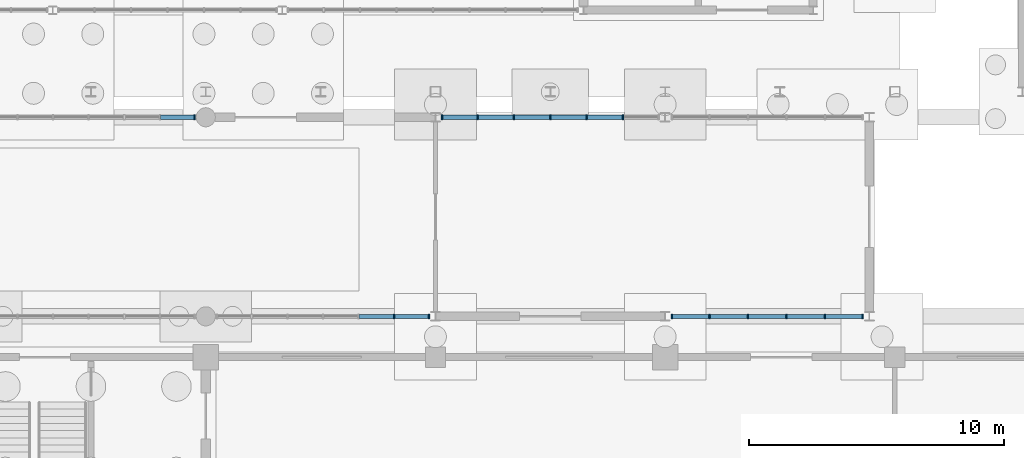
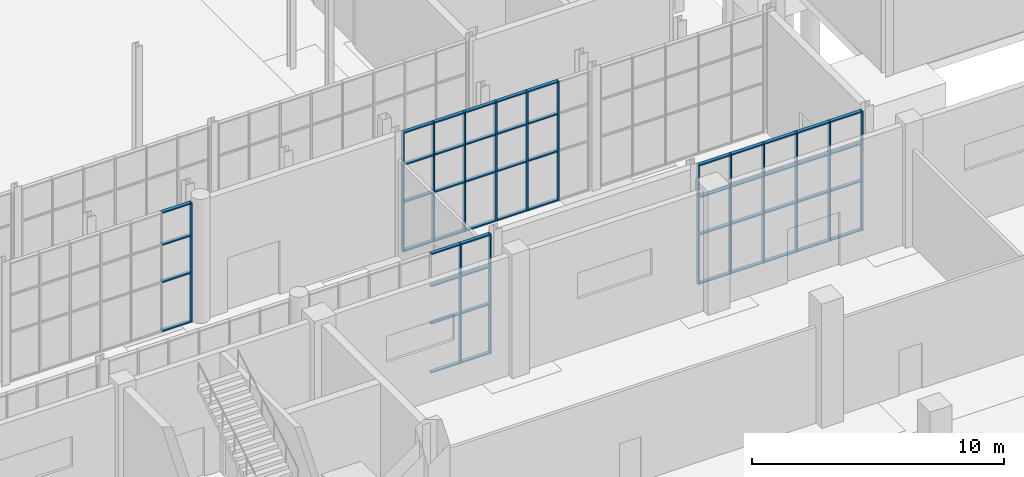
# One storey, part 65 of 131: 67 members, 4 elements without a shape of their own.
"""IFC4 building model written with IfcOpenShell, lengths in metres."""

from ifc_helpers import new_model, si_unit, direction, frame, origin, origin_2d, place, context, subcontext, project, spatial, rectangle, extrude, material, layer, layer_set, material_profile, profile_set, type_object, element, aggregate, save


model = new_model("IFC4")

# Units and contexts
model_context = context("Model", 3, precision=1e-05, world=origin(), true_north=direction((0.0, 1.0)))
body_context = subcontext(model_context, "Body", "Model", "MODEL_VIEW")
ifc_project = project(units=[si_unit("LENGTHUNIT", "METRE"), si_unit("AREAUNIT", "SQUARE_METRE"), si_unit("VOLUMEUNIT", "CUBIC_METRE"), si_unit("PLANEANGLEUNIT", "RADIAN"), si_unit("MASSUNIT", "GRAM", prefix="KILO")], contexts=[model_context])

# Site, building, storey
site_placement = place(None, origin())
site = spatial("IfcSite", under=ifc_project, at=site_placement, CompositionType="ELEMENT")
building_placement = place(site_placement, origin())
building = spatial("IfcBuilding", under=site, at=building_placement, Name="Cazmaro Siding Exhibition Halls", CompositionType="ELEMENT")
storey_placement = place(building_placement, origin())
storey = spatial("IfcBuildingStorey", under=building, at=storey_placement, Name="L00", CompositionType="ELEMENT", Elevation=0.0)

# Curtain wall, member
ifc_material_1 = material(Name="Anodized Bronze Aluminum and Solar-Control Low-E Glazing", Category="aluminium")
ifc_layer = layer(ifc_material_1, 0.179931640625)
ifc_layer_set = layer_set([ifc_layer], Name="Anodized Bronze Aluminum and Solar-Control Low-E Glazing")
curtain_wall_type = type_object("IfcCurtainWallType", Name="CWS-01", PredefinedType="USERDEFINED", material=ifc_layer_set)
curtain_wall_1_placement = place(storey_placement, origin())
curtain_wall_1 = element("IfcCurtainWall", 1, at=curtain_wall_1_placement, inside=storey, type_object=curtain_wall_type, Name="Glazed Curtain Wall CWS-01 CW-197", ObjectType="GLAZED CURTAIN WALL", PredefinedType="USERDEFINED")
ifc_material_2 = material(Name="Anodized Bronze Extruded Aluminum", Category="aluminium")
ifc_material_profile_1 = material_profile(ifc_material_2, rectangle(XDim=0.179931640625, YDim=0.06005859375, at=origin_2d()), Name="CWM-01")
ifc_profile_set_1 = profile_set([ifc_material_profile_1], Name="Anodized Bronze Extruded Aluminum")
member_type_1 = type_object("IfcMemberType", Name="CWM-01", PredefinedType="MULLION", material=ifc_profile_set_1)
member_1_placement = place(storey_placement, frame((143.56201171875, 63.0, 0.0), z_axis=(0.0, 0.0, 1.0), x_axis=(0.0, -1.0, 0.0)))
member_1 = element("IfcMember", 2, at=member_1_placement, type_object=member_type_1, Name="CWS-01 mullion 1", PredefinedType="MULLION", context=body_context, shape_type="SweptSolid", body=[
    extrude(rectangle(XDim=0.179931640625, YDim=0.06005859375, at=origin_2d()), origin(), (0.0, 0.0, 1.0), 5.780029296875),
])

# Curtain wall, members
curtain_wall_2_placement = place(storey_placement, origin())
curtain_wall_2 = element("IfcCurtainWall", 3, at=curtain_wall_2_placement, inside=storey, type_object=curtain_wall_type, Name="Glazed Curtain Wall CWS-01 CW-200", ObjectType="GLAZED CURTAIN WALL", PredefinedType="USERDEFINED")
member_2_placement = place(storey_placement, frame((151.376220703125, 55.199951171875, 0.0), z_axis=(0.0, 0.0, 1.0), x_axis=(0.0, 1.0, 0.0)))
member_2 = element("IfcMember", 4, at=member_2_placement, type_object=member_type_1, Name="CWS-01 mullion 6", PredefinedType="MULLION", context=body_context, shape_type="SweptSolid", body=[
    extrude(rectangle(XDim=0.179931640625, YDim=0.06005859375, at=origin_2d()), origin(), (0.0, 0.0, 1.0), 5.780029296875),
])
member_3_placement = place(storey_placement, frame((152.739990234375, 55.199951171875, 0.0), z_axis=(0.0, 0.0, 1.0), x_axis=(0.0, 1.0, 0.0)))
member_3 = element("IfcMember", 5, at=member_3_placement, type_object=member_type_1, Name="CWS-01 mullion 7", PredefinedType="MULLION", context=body_context, shape_type="SweptSolid", body=[
    extrude(rectangle(XDim=0.179931640625, YDim=0.06005859375, at=origin_2d()), origin(), (0.0, 0.0, 1.0), 5.780029296875),
])

curtain_wall_3_placement = place(storey_placement, origin())
curtain_wall_3 = element("IfcCurtainWall", 6, at=curtain_wall_3_placement, inside=storey, type_object=curtain_wall_type, Name="Glazed Curtain Wall CWS-01 CW-205", ObjectType="GLAZED CURTAIN WALL", PredefinedType="USERDEFINED")
member_4_placement = place(storey_placement, frame((160.3466796875, 63.0, 0.0), z_axis=(0.0, 0.0, 1.0), x_axis=(0.0, -1.0, 0.0)))
member_4 = element("IfcMember", 7, at=member_4_placement, type_object=member_type_1, Name="CWS-01 mullion 2", PredefinedType="MULLION", context=body_context, shape_type="SweptSolid", body=[
    extrude(rectangle(XDim=0.179931640625, YDim=0.06005859375, at=origin_2d()), origin(), (0.0, 0.0, 1.0), 5.780029296875),
])
member_5_placement = place(storey_placement, frame((158.92333984375, 63.0, 0.0), z_axis=(0.0, 0.0, 1.0), x_axis=(0.0, -1.0, 0.0)))
member_5 = element("IfcMember", 8, at=member_5_placement, type_object=member_type_1, Name="CWS-01 mullion 3", PredefinedType="MULLION", context=body_context, shape_type="SweptSolid", body=[
    extrude(rectangle(XDim=0.179931640625, YDim=0.06005859375, at=origin_2d()), origin(), (0.0, 0.0, 1.0), 5.780029296875),
])
member_6_placement = place(storey_placement, frame((157.5, 63.0, 0.0), z_axis=(0.0, 0.0, 1.0), x_axis=(0.0, -1.0, 0.0)))
member_6 = element("IfcMember", 9, at=member_6_placement, type_object=member_type_1, Name="CWS-01 mullion 4", PredefinedType="MULLION", context=body_context, shape_type="SweptSolid", body=[
    extrude(rectangle(XDim=0.179931640625, YDim=0.06005859375, at=origin_2d()), origin(), (0.0, 0.0, 1.0), 5.780029296875),
])
member_7_placement = place(storey_placement, frame((156.07666015625, 63.0, 0.0), z_axis=(0.0, 0.0, 1.0), x_axis=(0.0, -1.0, 0.0)))
member_7 = element("IfcMember", 10, at=member_7_placement, type_object=member_type_1, Name="CWS-01 mullion 5", PredefinedType="MULLION", context=body_context, shape_type="SweptSolid", body=[
    extrude(rectangle(XDim=0.179931640625, YDim=0.06005859375, at=origin_2d()), origin(), (0.0, 0.0, 1.0), 5.780029296875),
])
member_8_placement = place(storey_placement, frame((154.6533203125, 63.0, 0.0), z_axis=(0.0, 0.0, 1.0), x_axis=(0.0, -1.0, 0.0)))
member_8 = element("IfcMember", 11, at=member_8_placement, type_object=member_type_1, Name="CWS-01 mullion 6", PredefinedType="MULLION", context=body_context, shape_type="SweptSolid", body=[
    extrude(rectangle(XDim=0.179931640625, YDim=0.06005859375, at=origin_2d()), origin(), (0.0, 0.0, 1.0), 5.780029296875),
])
member_9_placement = place(storey_placement, frame((153.260009765625, 63.0, 0.0), z_axis=(0.0, 0.0, 1.0), x_axis=(0.0, -1.0, 0.0)))
member_9 = element("IfcMember", 12, at=member_9_placement, type_object=member_type_1, Name="CWS-01 mullion 7", PredefinedType="MULLION", context=body_context, shape_type="SweptSolid", body=[
    extrude(rectangle(XDim=0.179931640625, YDim=0.06005859375, at=origin_2d()), origin(), (0.0, 0.0, 1.0), 5.780029296875),
])

curtain_wall_4_placement = place(storey_placement, origin())
curtain_wall_4 = element("IfcCurtainWall", 13, at=curtain_wall_4_placement, inside=storey, type_object=curtain_wall_type, Name="Glazed Curtain Wall CWS-01 CW-206", ObjectType="GLAZED CURTAIN WALL", PredefinedType="USERDEFINED")
member_10_placement = place(storey_placement, frame((162.260009765625, 55.199951171875, 0.0), z_axis=(0.0, 0.0, 1.0), x_axis=(0.0, 1.0, 0.0)))
member_10 = element("IfcMember", 14, at=member_10_placement, type_object=member_type_1, Name="CWS-01 mullion 1", PredefinedType="MULLION", context=body_context, shape_type="SweptSolid", body=[
    extrude(rectangle(XDim=0.179931640625, YDim=0.06005859375, at=origin_2d()), origin(), (0.0, 0.0, 1.0), 5.780029296875),
])
member_11_placement = place(storey_placement, frame((163.738037109375, 55.199951171875, 0.0), z_axis=(0.0, 0.0, 1.0), x_axis=(0.0, 1.0, 0.0)))
member_11 = element("IfcMember", 15, at=member_11_placement, type_object=member_type_1, Name="CWS-01 mullion 2", PredefinedType="MULLION", context=body_context, shape_type="SweptSolid", body=[
    extrude(rectangle(XDim=0.179931640625, YDim=0.06005859375, at=origin_2d()), origin(), (0.0, 0.0, 1.0), 5.780029296875),
])
member_12_placement = place(storey_placement, frame((165.24609375, 55.199951171875, 0.0), z_axis=(0.0, 0.0, 1.0), x_axis=(0.0, 1.0, 0.0)))
member_12 = element("IfcMember", 16, at=member_12_placement, type_object=member_type_1, Name="CWS-01 mullion 3", PredefinedType="MULLION", context=body_context, shape_type="SweptSolid", body=[
    extrude(rectangle(XDim=0.179931640625, YDim=0.06005859375, at=origin_2d()), origin(), (0.0, 0.0, 1.0), 5.780029296875),
])
member_13_placement = place(storey_placement, frame((166.75390625, 55.199951171875, 0.0), z_axis=(0.0, 0.0, 1.0), x_axis=(0.0, 1.0, 0.0)))
member_13 = element("IfcMember", 17, at=member_13_placement, type_object=member_type_1, Name="CWS-01 mullion 4", PredefinedType="MULLION", context=body_context, shape_type="SweptSolid", body=[
    extrude(rectangle(XDim=0.179931640625, YDim=0.06005859375, at=origin_2d()), origin(), (0.0, 0.0, 1.0), 5.780029296875),
])
member_14_placement = place(storey_placement, frame((168.261962890625, 55.199951171875, 0.0), z_axis=(0.0, 0.0, 1.0), x_axis=(0.0, 1.0, 0.0)))
member_14 = element("IfcMember", 18, at=member_14_placement, type_object=member_type_1, Name="CWS-01 mullion 5", PredefinedType="MULLION", context=body_context, shape_type="SweptSolid", body=[
    extrude(rectangle(XDim=0.179931640625, YDim=0.06005859375, at=origin_2d()), origin(), (0.0, 0.0, 1.0), 5.780029296875),
])
member_15_placement = place(storey_placement, frame((169.739990234375, 55.199951171875, 0.0), z_axis=(0.0, 0.0, 1.0), x_axis=(0.0, 1.0, 0.0)))
member_15 = element("IfcMember", 19, at=member_15_placement, type_object=member_type_1, Name="CWS-01 mullion 6", PredefinedType="MULLION", context=body_context, shape_type="SweptSolid", body=[
    extrude(rectangle(XDim=0.179931640625, YDim=0.06005859375, at=origin_2d()), origin(), (0.0, 0.0, 1.0), 5.780029296875),
])

# Member
ifc_material_3 = material(Name="Anodized Bronze Extruded Aluminum", Category="aluminium")
ifc_material_profile_2 = material_profile(ifc_material_3, rectangle(XDim=0.159912109375, YDim=0.06005859375, at=origin_2d()), Name="CWT-01")
ifc_profile_set_2 = profile_set([ifc_material_profile_2], Name="Anodized Bronze Extruded Aluminum")
member_type_2 = type_object("IfcMemberType", Name="CWT-01", PredefinedType="MULLION", material=ifc_profile_set_2)
member_16_placement = place(storey_placement, frame((143.531982421875, 63.0, 0.030029296875), z_axis=(-1.0, 0.0, 0.0), x_axis=(0.0, -1.0, 0.0)))
member_16 = element("IfcMember", 20, at=member_16_placement, type_object=member_type_2, Name="CWS-01 transom 1.1", ObjectType="TRANSOM", PredefinedType="USERDEFINED", context=body_context, shape_type="SweptSolid", body=[
    extrude(rectangle(XDim=0.159912109375, YDim=0.06005859375, at=origin_2d()), origin(), (0.0, 0.0, 1.0), 1.3037109375),
])

member_17_placement = place(storey_placement, frame((143.531982421875, 63.0, 2.39990234375), z_axis=(-1.0, 0.0, 0.0), x_axis=(0.0, -1.0, 0.0)))
member_17 = element("IfcMember", 21, at=member_17_placement, type_object=member_type_2, Name="CWS-01 transom 1.2", ObjectType="TRANSOM", PredefinedType="USERDEFINED", context=body_context, shape_type="SweptSolid", body=[
    extrude(rectangle(XDim=0.159912109375, YDim=0.06005859375, at=origin_2d()), origin(), (0.0, 0.0, 1.0), 1.3037109375),
])

member_18_placement = place(storey_placement, frame((143.531982421875, 63.0, 4.199951171875), z_axis=(-1.0, 0.0, 0.0), x_axis=(0.0, -1.0, 0.0)))
member_18 = element("IfcMember", 22, at=member_18_placement, type_object=member_type_2, Name="CWS-01 transom 1.3", ObjectType="TRANSOM", PredefinedType="USERDEFINED", context=body_context, shape_type="SweptSolid", body=[
    extrude(rectangle(XDim=0.159912109375, YDim=0.06005859375, at=origin_2d()), origin(), (0.0, 0.0, 1.0), 1.3037109375),
])

member_19_placement = place(storey_placement, frame((143.531982421875, 63.0, 5.75), z_axis=(-1.0, 0.0, 0.0), x_axis=(0.0, -1.0, 0.0)))
member_19 = element("IfcMember", 23, at=member_19_placement, type_object=member_type_2, Name="CWS-01 transom 1.4", ObjectType="TRANSOM", PredefinedType="USERDEFINED", context=body_context, shape_type="SweptSolid", body=[
    extrude(rectangle(XDim=0.159912109375, YDim=0.06005859375, at=origin_2d()), origin(), (0.0, 0.0, 1.0), 1.3037109375),
])

aggregate(curtain_wall_1, [member_1, member_16, member_17, member_18, member_19])

member_20_placement = place(storey_placement, frame((150.0126953125, 55.199951171875, 0.030029296875), z_axis=(1.0, 0.0, 0.0), x_axis=(0.0, 1.0, 0.0)))
member_20 = element("IfcMember", 24, at=member_20_placement, type_object=member_type_2, Name="CWS-01 transom 5.1", ObjectType="TRANSOM", PredefinedType="USERDEFINED", context=body_context, shape_type="SweptSolid", body=[
    extrude(rectangle(XDim=0.159912109375, YDim=0.06005859375, at=origin_2d()), origin(), (0.0, 0.0, 1.0), 1.333740234375),
])

member_21_placement = place(storey_placement, frame((150.0126953125, 55.199951171875, 2.39990234375), z_axis=(1.0, 0.0, 0.0), x_axis=(0.0, 1.0, 0.0)))
member_21 = element("IfcMember", 25, at=member_21_placement, type_object=member_type_2, Name="CWS-01 transom 5.2", ObjectType="TRANSOM", PredefinedType="USERDEFINED", context=body_context, shape_type="SweptSolid", body=[
    extrude(rectangle(XDim=0.159912109375, YDim=0.06005859375, at=origin_2d()), origin(), (0.0, 0.0, 1.0), 1.333740234375),
])

member_22_placement = place(storey_placement, frame((150.0126953125, 55.199951171875, 4.199951171875), z_axis=(1.0, 0.0, 0.0), x_axis=(0.0, 1.0, 0.0)))
member_22 = element("IfcMember", 26, at=member_22_placement, type_object=member_type_2, Name="CWS-01 transom 5.3", ObjectType="TRANSOM", PredefinedType="USERDEFINED", context=body_context, shape_type="SweptSolid", body=[
    extrude(rectangle(XDim=0.159912109375, YDim=0.06005859375, at=origin_2d()), origin(), (0.0, 0.0, 1.0), 1.333740234375),
])

member_23_placement = place(storey_placement, frame((150.0126953125, 55.199951171875, 5.75), z_axis=(1.0, 0.0, 0.0), x_axis=(0.0, 1.0, 0.0)))
member_23 = element("IfcMember", 27, at=member_23_placement, type_object=member_type_2, Name="CWS-01 transom 5.4", ObjectType="TRANSOM", PredefinedType="USERDEFINED", context=body_context, shape_type="SweptSolid", body=[
    extrude(rectangle(XDim=0.159912109375, YDim=0.06005859375, at=origin_2d()), origin(), (0.0, 0.0, 1.0), 1.333740234375),
])

member_24_placement = place(storey_placement, frame((151.40625, 55.199951171875, 0.030029296875), z_axis=(1.0, 0.0, 0.0), x_axis=(0.0, 1.0, 0.0)))
member_24 = element("IfcMember", 28, at=member_24_placement, type_object=member_type_2, Name="CWS-01 transom 6.1", ObjectType="TRANSOM", PredefinedType="USERDEFINED", context=body_context, shape_type="SweptSolid", body=[
    extrude(rectangle(XDim=0.159912109375, YDim=0.06005859375, at=origin_2d()), origin(), (0.0, 0.0, 1.0), 1.3037109375),
])

member_25_placement = place(storey_placement, frame((151.40625, 55.199951171875, 2.39990234375), z_axis=(1.0, 0.0, 0.0), x_axis=(0.0, 1.0, 0.0)))
member_25 = element("IfcMember", 29, at=member_25_placement, type_object=member_type_2, Name="CWS-01 transom 6.2", ObjectType="TRANSOM", PredefinedType="USERDEFINED", context=body_context, shape_type="SweptSolid", body=[
    extrude(rectangle(XDim=0.159912109375, YDim=0.06005859375, at=origin_2d()), origin(), (0.0, 0.0, 1.0), 1.3037109375),
])

member_26_placement = place(storey_placement, frame((151.40625, 55.199951171875, 4.199951171875), z_axis=(1.0, 0.0, 0.0), x_axis=(0.0, 1.0, 0.0)))
member_26 = element("IfcMember", 30, at=member_26_placement, type_object=member_type_2, Name="CWS-01 transom 6.3", ObjectType="TRANSOM", PredefinedType="USERDEFINED", context=body_context, shape_type="SweptSolid", body=[
    extrude(rectangle(XDim=0.159912109375, YDim=0.06005859375, at=origin_2d()), origin(), (0.0, 0.0, 1.0), 1.3037109375),
])

member_27_placement = place(storey_placement, frame((151.40625, 55.199951171875, 5.75), z_axis=(1.0, 0.0, 0.0), x_axis=(0.0, 1.0, 0.0)))
member_27 = element("IfcMember", 31, at=member_27_placement, type_object=member_type_2, Name="CWS-01 transom 6.4", ObjectType="TRANSOM", PredefinedType="USERDEFINED", context=body_context, shape_type="SweptSolid", body=[
    extrude(rectangle(XDim=0.159912109375, YDim=0.06005859375, at=origin_2d()), origin(), (0.0, 0.0, 1.0), 1.3037109375),
])

aggregate(curtain_wall_2, [member_2, member_3, member_20, member_21, member_22, member_23, member_24, member_25, member_26, member_27])

member_28_placement = place(storey_placement, frame((160.316650390625, 63.0, 0.030029296875), z_axis=(-1.0, 0.0, 0.0), x_axis=(0.0, -1.0, 0.0)))
member_28 = element("IfcMember", 32, at=member_28_placement, type_object=member_type_2, Name="CWS-01 transom 2.1", ObjectType="TRANSOM", PredefinedType="USERDEFINED", context=body_context, shape_type="SweptSolid", body=[
    extrude(rectangle(XDim=0.159912109375, YDim=0.06005859375, at=origin_2d()), origin(), (0.0, 0.0, 1.0), 1.36328125),
])

member_29_placement = place(storey_placement, frame((160.316650390625, 63.0, 2.39990234375), z_axis=(-1.0, 0.0, 0.0), x_axis=(0.0, -1.0, 0.0)))
member_29 = element("IfcMember", 33, at=member_29_placement, type_object=member_type_2, Name="CWS-01 transom 2.2", ObjectType="TRANSOM", PredefinedType="USERDEFINED", context=body_context, shape_type="SweptSolid", body=[
    extrude(rectangle(XDim=0.159912109375, YDim=0.06005859375, at=origin_2d()), origin(), (0.0, 0.0, 1.0), 1.36328125),
])

member_30_placement = place(storey_placement, frame((160.316650390625, 63.0, 4.199951171875), z_axis=(-1.0, 0.0, 0.0), x_axis=(0.0, -1.0, 0.0)))
member_30 = element("IfcMember", 34, at=member_30_placement, type_object=member_type_2, Name="CWS-01 transom 2.3", ObjectType="TRANSOM", PredefinedType="USERDEFINED", context=body_context, shape_type="SweptSolid", body=[
    extrude(rectangle(XDim=0.159912109375, YDim=0.06005859375, at=origin_2d()), origin(), (0.0, 0.0, 1.0), 1.36328125),
])

member_31_placement = place(storey_placement, frame((160.316650390625, 63.0, 5.75), z_axis=(-1.0, 0.0, 0.0), x_axis=(0.0, -1.0, 0.0)))
member_31 = element("IfcMember", 35, at=member_31_placement, type_object=member_type_2, Name="CWS-01 transom 2.4", ObjectType="TRANSOM", PredefinedType="USERDEFINED", context=body_context, shape_type="SweptSolid", body=[
    extrude(rectangle(XDim=0.159912109375, YDim=0.06005859375, at=origin_2d()), origin(), (0.0, 0.0, 1.0), 1.36328125),
])

member_32_placement = place(storey_placement, frame((158.893310546875, 63.0, 0.030029296875), z_axis=(-1.0, 0.0, 0.0), x_axis=(0.0, -1.0, 0.0)))
member_32 = element("IfcMember", 36, at=member_32_placement, type_object=member_type_2, Name="CWS-01 transom 3.1", ObjectType="TRANSOM", PredefinedType="USERDEFINED", context=body_context, shape_type="SweptSolid", body=[
    extrude(rectangle(XDim=0.159912109375, YDim=0.06005859375, at=origin_2d()), origin(), (0.0, 0.0, 1.0), 1.36328125),
])

member_33_placement = place(storey_placement, frame((158.893310546875, 63.0, 2.39990234375), z_axis=(-1.0, 0.0, 0.0), x_axis=(0.0, -1.0, 0.0)))
member_33 = element("IfcMember", 37, at=member_33_placement, type_object=member_type_2, Name="CWS-01 transom 3.2", ObjectType="TRANSOM", PredefinedType="USERDEFINED", context=body_context, shape_type="SweptSolid", body=[
    extrude(rectangle(XDim=0.159912109375, YDim=0.06005859375, at=origin_2d()), origin(), (0.0, 0.0, 1.0), 1.36328125),
])

member_34_placement = place(storey_placement, frame((158.893310546875, 63.0, 4.199951171875), z_axis=(-1.0, 0.0, 0.0), x_axis=(0.0, -1.0, 0.0)))
member_34 = element("IfcMember", 38, at=member_34_placement, type_object=member_type_2, Name="CWS-01 transom 3.3", ObjectType="TRANSOM", PredefinedType="USERDEFINED", context=body_context, shape_type="SweptSolid", body=[
    extrude(rectangle(XDim=0.159912109375, YDim=0.06005859375, at=origin_2d()), origin(), (0.0, 0.0, 1.0), 1.36328125),
])

member_35_placement = place(storey_placement, frame((158.893310546875, 63.0, 5.75), z_axis=(-1.0, 0.0, 0.0), x_axis=(0.0, -1.0, 0.0)))
member_35 = element("IfcMember", 39, at=member_35_placement, type_object=member_type_2, Name="CWS-01 transom 3.4", ObjectType="TRANSOM", PredefinedType="USERDEFINED", context=body_context, shape_type="SweptSolid", body=[
    extrude(rectangle(XDim=0.159912109375, YDim=0.06005859375, at=origin_2d()), origin(), (0.0, 0.0, 1.0), 1.36328125),
])

member_36_placement = place(storey_placement, frame((157.469970703125, 63.0, 0.030029296875), z_axis=(-1.0, 0.0, 0.0), x_axis=(0.0, -1.0, 0.0)))
member_36 = element("IfcMember", 40, at=member_36_placement, type_object=member_type_2, Name="CWS-01 transom 4.1", ObjectType="TRANSOM", PredefinedType="USERDEFINED", context=body_context, shape_type="SweptSolid", body=[
    extrude(rectangle(XDim=0.159912109375, YDim=0.06005859375, at=origin_2d()), origin(), (0.0, 0.0, 1.0), 1.36328125),
])

member_37_placement = place(storey_placement, frame((157.469970703125, 63.0, 2.39990234375), z_axis=(-1.0, 0.0, 0.0), x_axis=(0.0, -1.0, 0.0)))
member_37 = element("IfcMember", 41, at=member_37_placement, type_object=member_type_2, Name="CWS-01 transom 4.2", ObjectType="TRANSOM", PredefinedType="USERDEFINED", context=body_context, shape_type="SweptSolid", body=[
    extrude(rectangle(XDim=0.159912109375, YDim=0.06005859375, at=origin_2d()), origin(), (0.0, 0.0, 1.0), 1.36328125),
])

member_38_placement = place(storey_placement, frame((157.469970703125, 63.0, 4.199951171875), z_axis=(-1.0, 0.0, 0.0), x_axis=(0.0, -1.0, 0.0)))
member_38 = element("IfcMember", 42, at=member_38_placement, type_object=member_type_2, Name="CWS-01 transom 4.3", ObjectType="TRANSOM", PredefinedType="USERDEFINED", context=body_context, shape_type="SweptSolid", body=[
    extrude(rectangle(XDim=0.159912109375, YDim=0.06005859375, at=origin_2d()), origin(), (0.0, 0.0, 1.0), 1.36328125),
])

member_39_placement = place(storey_placement, frame((157.469970703125, 63.0, 5.75), z_axis=(-1.0, 0.0, 0.0), x_axis=(0.0, -1.0, 0.0)))
member_39 = element("IfcMember", 43, at=member_39_placement, type_object=member_type_2, Name="CWS-01 transom 4.4", ObjectType="TRANSOM", PredefinedType="USERDEFINED", context=body_context, shape_type="SweptSolid", body=[
    extrude(rectangle(XDim=0.159912109375, YDim=0.06005859375, at=origin_2d()), origin(), (0.0, 0.0, 1.0), 1.36328125),
])

member_40_placement = place(storey_placement, frame((156.046630859375, 63.0, 0.030029296875), z_axis=(-1.0, 0.0, 0.0), x_axis=(0.0, -1.0, 0.0)))
member_40 = element("IfcMember", 44, at=member_40_placement, type_object=member_type_2, Name="CWS-01 transom 5.1", ObjectType="TRANSOM", PredefinedType="USERDEFINED", context=body_context, shape_type="SweptSolid", body=[
    extrude(rectangle(XDim=0.159912109375, YDim=0.06005859375, at=origin_2d()), origin(), (0.0, 0.0, 1.0), 1.36328125),
])

member_41_placement = place(storey_placement, frame((156.046630859375, 63.0, 2.39990234375), z_axis=(-1.0, 0.0, 0.0), x_axis=(0.0, -1.0, 0.0)))
member_41 = element("IfcMember", 45, at=member_41_placement, type_object=member_type_2, Name="CWS-01 transom 5.2", ObjectType="TRANSOM", PredefinedType="USERDEFINED", context=body_context, shape_type="SweptSolid", body=[
    extrude(rectangle(XDim=0.159912109375, YDim=0.06005859375, at=origin_2d()), origin(), (0.0, 0.0, 1.0), 1.36328125),
])

member_42_placement = place(storey_placement, frame((156.046630859375, 63.0, 4.199951171875), z_axis=(-1.0, 0.0, 0.0), x_axis=(0.0, -1.0, 0.0)))
member_42 = element("IfcMember", 46, at=member_42_placement, type_object=member_type_2, Name="CWS-01 transom 5.3", ObjectType="TRANSOM", PredefinedType="USERDEFINED", context=body_context, shape_type="SweptSolid", body=[
    extrude(rectangle(XDim=0.159912109375, YDim=0.06005859375, at=origin_2d()), origin(), (0.0, 0.0, 1.0), 1.36328125),
])

member_43_placement = place(storey_placement, frame((156.046630859375, 63.0, 5.75), z_axis=(-1.0, 0.0, 0.0), x_axis=(0.0, -1.0, 0.0)))
member_43 = element("IfcMember", 47, at=member_43_placement, type_object=member_type_2, Name="CWS-01 transom 5.4", ObjectType="TRANSOM", PredefinedType="USERDEFINED", context=body_context, shape_type="SweptSolid", body=[
    extrude(rectangle(XDim=0.159912109375, YDim=0.06005859375, at=origin_2d()), origin(), (0.0, 0.0, 1.0), 1.36328125),
])

member_44_placement = place(storey_placement, frame((154.623291015625, 63.0, 0.030029296875), z_axis=(-1.0, 0.0, 0.0), x_axis=(0.0, -1.0, 0.0)))
member_44 = element("IfcMember", 48, at=member_44_placement, type_object=member_type_2, Name="CWS-01 transom 6.1", ObjectType="TRANSOM", PredefinedType="USERDEFINED", context=body_context, shape_type="SweptSolid", body=[
    extrude(rectangle(XDim=0.159912109375, YDim=0.06005859375, at=origin_2d()), origin(), (0.0, 0.0, 1.0), 1.333251953125),
])

member_45_placement = place(storey_placement, frame((154.623291015625, 63.0, 2.39990234375), z_axis=(-1.0, 0.0, 0.0), x_axis=(0.0, -1.0, 0.0)))
member_45 = element("IfcMember", 49, at=member_45_placement, type_object=member_type_2, Name="CWS-01 transom 6.2", ObjectType="TRANSOM", PredefinedType="USERDEFINED", context=body_context, shape_type="SweptSolid", body=[
    extrude(rectangle(XDim=0.159912109375, YDim=0.06005859375, at=origin_2d()), origin(), (0.0, 0.0, 1.0), 1.333251953125),
])

member_46_placement = place(storey_placement, frame((154.623291015625, 63.0, 4.199951171875), z_axis=(-1.0, 0.0, 0.0), x_axis=(0.0, -1.0, 0.0)))
member_46 = element("IfcMember", 50, at=member_46_placement, type_object=member_type_2, Name="CWS-01 transom 6.3", ObjectType="TRANSOM", PredefinedType="USERDEFINED", context=body_context, shape_type="SweptSolid", body=[
    extrude(rectangle(XDim=0.159912109375, YDim=0.06005859375, at=origin_2d()), origin(), (0.0, 0.0, 1.0), 1.333251953125),
])

member_47_placement = place(storey_placement, frame((154.623291015625, 63.0, 5.75), z_axis=(-1.0, 0.0, 0.0), x_axis=(0.0, -1.0, 0.0)))
member_47 = element("IfcMember", 51, at=member_47_placement, type_object=member_type_2, Name="CWS-01 transom 6.4", ObjectType="TRANSOM", PredefinedType="USERDEFINED", context=body_context, shape_type="SweptSolid", body=[
    extrude(rectangle(XDim=0.159912109375, YDim=0.06005859375, at=origin_2d()), origin(), (0.0, 0.0, 1.0), 1.333251953125),
])

aggregate(curtain_wall_3, [member_4, member_5, member_6, member_7, member_8, member_9, member_28, member_29, member_30, member_31, member_32, member_33, member_34, member_35, member_36, member_37, member_38, member_39, member_40, member_41, member_42, member_43, member_44, member_45, member_46, member_47])

member_48_placement = place(storey_placement, frame((162.2900390625, 55.199951171875, 0.030029296875), z_axis=(1.0, 0.0, 0.0), x_axis=(0.0, 1.0, 0.0)))
member_48 = element("IfcMember", 52, at=member_48_placement, type_object=member_type_2, Name="CWS-01 transom 1.1", ObjectType="TRANSOM", PredefinedType="USERDEFINED", context=body_context, shape_type="SweptSolid", body=[
    extrude(rectangle(XDim=0.159912109375, YDim=0.06005859375, at=origin_2d()), origin(), (0.0, 0.0, 1.0), 1.41796875),
])

member_49_placement = place(storey_placement, frame((162.2900390625, 55.199951171875, 2.39990234375), z_axis=(1.0, 0.0, 0.0), x_axis=(0.0, 1.0, 0.0)))
member_49 = element("IfcMember", 53, at=member_49_placement, type_object=member_type_2, Name="CWS-01 transom 1.2", ObjectType="TRANSOM", PredefinedType="USERDEFINED", context=body_context, shape_type="SweptSolid", body=[
    extrude(rectangle(XDim=0.159912109375, YDim=0.06005859375, at=origin_2d()), origin(), (0.0, 0.0, 1.0), 1.41796875),
])

member_50_placement = place(storey_placement, frame((162.2900390625, 55.199951171875, 4.199951171875), z_axis=(1.0, 0.0, 0.0), x_axis=(0.0, 1.0, 0.0)))
member_50 = element("IfcMember", 54, at=member_50_placement, type_object=member_type_2, Name="CWS-01 transom 1.3", ObjectType="TRANSOM", PredefinedType="USERDEFINED", context=body_context, shape_type="SweptSolid", body=[
    extrude(rectangle(XDim=0.159912109375, YDim=0.06005859375, at=origin_2d()), origin(), (0.0, 0.0, 1.0), 1.41796875),
])

member_51_placement = place(storey_placement, frame((162.2900390625, 55.199951171875, 5.75), z_axis=(1.0, 0.0, 0.0), x_axis=(0.0, 1.0, 0.0)))
member_51 = element("IfcMember", 55, at=member_51_placement, type_object=member_type_2, Name="CWS-01 transom 1.4", ObjectType="TRANSOM", PredefinedType="USERDEFINED", context=body_context, shape_type="SweptSolid", body=[
    extrude(rectangle(XDim=0.159912109375, YDim=0.06005859375, at=origin_2d()), origin(), (0.0, 0.0, 1.0), 1.41796875),
])

member_52_placement = place(storey_placement, frame((163.76806640625, 55.199951171875, 0.030029296875), z_axis=(1.0, 0.0, 0.0), x_axis=(0.0, 1.0, 0.0)))
member_52 = element("IfcMember", 56, at=member_52_placement, type_object=member_type_2, Name="CWS-01 transom 2.1", ObjectType="TRANSOM", PredefinedType="USERDEFINED", context=body_context, shape_type="SweptSolid", body=[
    extrude(rectangle(XDim=0.159912109375, YDim=0.06005859375, at=origin_2d()), origin(), (0.0, 0.0, 1.0), 1.447998046875),
])

member_53_placement = place(storey_placement, frame((163.76806640625, 55.199951171875, 2.39990234375), z_axis=(1.0, 0.0, 0.0), x_axis=(0.0, 1.0, 0.0)))
member_53 = element("IfcMember", 57, at=member_53_placement, type_object=member_type_2, Name="CWS-01 transom 2.2", ObjectType="TRANSOM", PredefinedType="USERDEFINED", context=body_context, shape_type="SweptSolid", body=[
    extrude(rectangle(XDim=0.159912109375, YDim=0.06005859375, at=origin_2d()), origin(), (0.0, 0.0, 1.0), 1.447998046875),
])

member_54_placement = place(storey_placement, frame((163.76806640625, 55.199951171875, 4.199951171875), z_axis=(1.0, 0.0, 0.0), x_axis=(0.0, 1.0, 0.0)))
member_54 = element("IfcMember", 58, at=member_54_placement, type_object=member_type_2, Name="CWS-01 transom 2.3", ObjectType="TRANSOM", PredefinedType="USERDEFINED", context=body_context, shape_type="SweptSolid", body=[
    extrude(rectangle(XDim=0.159912109375, YDim=0.06005859375, at=origin_2d()), origin(), (0.0, 0.0, 1.0), 1.447998046875),
])

member_55_placement = place(storey_placement, frame((163.76806640625, 55.199951171875, 5.75), z_axis=(1.0, 0.0, 0.0), x_axis=(0.0, 1.0, 0.0)))
member_55 = element("IfcMember", 59, at=member_55_placement, type_object=member_type_2, Name="CWS-01 transom 2.4", ObjectType="TRANSOM", PredefinedType="USERDEFINED", context=body_context, shape_type="SweptSolid", body=[
    extrude(rectangle(XDim=0.159912109375, YDim=0.06005859375, at=origin_2d()), origin(), (0.0, 0.0, 1.0), 1.447998046875),
])

member_56_placement = place(storey_placement, frame((165.27587890625, 55.199951171875, 0.030029296875), z_axis=(1.0, 0.0, 0.0), x_axis=(0.0, 1.0, 0.0)))
member_56 = element("IfcMember", 60, at=member_56_placement, type_object=member_type_2, Name="CWS-01 transom 3.1", ObjectType="TRANSOM", PredefinedType="USERDEFINED", context=body_context, shape_type="SweptSolid", body=[
    extrude(rectangle(XDim=0.159912109375, YDim=0.06005859375, at=origin_2d()), origin(), (0.0, 0.0, 1.0), 1.4482421875),
])

member_57_placement = place(storey_placement, frame((165.27587890625, 55.199951171875, 2.39990234375), z_axis=(1.0, 0.0, 0.0), x_axis=(0.0, 1.0, 0.0)))
member_57 = element("IfcMember", 61, at=member_57_placement, type_object=member_type_2, Name="CWS-01 transom 3.2", ObjectType="TRANSOM", PredefinedType="USERDEFINED", context=body_context, shape_type="SweptSolid", body=[
    extrude(rectangle(XDim=0.159912109375, YDim=0.06005859375, at=origin_2d()), origin(), (0.0, 0.0, 1.0), 1.4482421875),
])

member_58_placement = place(storey_placement, frame((165.27587890625, 55.199951171875, 4.199951171875), z_axis=(1.0, 0.0, 0.0), x_axis=(0.0, 1.0, 0.0)))
member_58 = element("IfcMember", 62, at=member_58_placement, type_object=member_type_2, Name="CWS-01 transom 3.3", ObjectType="TRANSOM", PredefinedType="USERDEFINED", context=body_context, shape_type="SweptSolid", body=[
    extrude(rectangle(XDim=0.159912109375, YDim=0.06005859375, at=origin_2d()), origin(), (0.0, 0.0, 1.0), 1.4482421875),
])

member_59_placement = place(storey_placement, frame((165.27587890625, 55.199951171875, 5.75), z_axis=(1.0, 0.0, 0.0), x_axis=(0.0, 1.0, 0.0)))
member_59 = element("IfcMember", 63, at=member_59_placement, type_object=member_type_2, Name="CWS-01 transom 3.4", ObjectType="TRANSOM", PredefinedType="USERDEFINED", context=body_context, shape_type="SweptSolid", body=[
    extrude(rectangle(XDim=0.159912109375, YDim=0.06005859375, at=origin_2d()), origin(), (0.0, 0.0, 1.0), 1.4482421875),
])

member_60_placement = place(storey_placement, frame((166.783935546875, 55.199951171875, 0.030029296875), z_axis=(1.0, 0.0, 0.0), x_axis=(0.0, 1.0, 0.0)))
member_60 = element("IfcMember", 64, at=member_60_placement, type_object=member_type_2, Name="CWS-01 transom 4.1", ObjectType="TRANSOM", PredefinedType="USERDEFINED", context=body_context, shape_type="SweptSolid", body=[
    extrude(rectangle(XDim=0.159912109375, YDim=0.06005859375, at=origin_2d()), origin(), (0.0, 0.0, 1.0), 1.447998046875),
])

member_61_placement = place(storey_placement, frame((166.783935546875, 55.199951171875, 2.39990234375), z_axis=(1.0, 0.0, 0.0), x_axis=(0.0, 1.0, 0.0)))
member_61 = element("IfcMember", 65, at=member_61_placement, type_object=member_type_2, Name="CWS-01 transom 4.2", ObjectType="TRANSOM", PredefinedType="USERDEFINED", context=body_context, shape_type="SweptSolid", body=[
    extrude(rectangle(XDim=0.159912109375, YDim=0.06005859375, at=origin_2d()), origin(), (0.0, 0.0, 1.0), 1.447998046875),
])

member_62_placement = place(storey_placement, frame((166.783935546875, 55.199951171875, 4.199951171875), z_axis=(1.0, 0.0, 0.0), x_axis=(0.0, 1.0, 0.0)))
member_62 = element("IfcMember", 66, at=member_62_placement, type_object=member_type_2, Name="CWS-01 transom 4.3", ObjectType="TRANSOM", PredefinedType="USERDEFINED", context=body_context, shape_type="SweptSolid", body=[
    extrude(rectangle(XDim=0.159912109375, YDim=0.06005859375, at=origin_2d()), origin(), (0.0, 0.0, 1.0), 1.447998046875),
])

member_63_placement = place(storey_placement, frame((166.783935546875, 55.199951171875, 5.75), z_axis=(1.0, 0.0, 0.0), x_axis=(0.0, 1.0, 0.0)))
member_63 = element("IfcMember", 67, at=member_63_placement, type_object=member_type_2, Name="CWS-01 transom 4.4", ObjectType="TRANSOM", PredefinedType="USERDEFINED", context=body_context, shape_type="SweptSolid", body=[
    extrude(rectangle(XDim=0.159912109375, YDim=0.06005859375, at=origin_2d()), origin(), (0.0, 0.0, 1.0), 1.447998046875),
])

member_64_placement = place(storey_placement, frame((168.2919921875, 55.199951171875, 0.030029296875), z_axis=(1.0, 0.0, 0.0), x_axis=(0.0, 1.0, 0.0)))
member_64 = element("IfcMember", 68, at=member_64_placement, type_object=member_type_2, Name="CWS-01 transom 5.1", ObjectType="TRANSOM", PredefinedType="USERDEFINED", context=body_context, shape_type="SweptSolid", body=[
    extrude(rectangle(XDim=0.159912109375, YDim=0.06005859375, at=origin_2d()), origin(), (0.0, 0.0, 1.0), 1.41796875),
])

member_65_placement = place(storey_placement, frame((168.2919921875, 55.199951171875, 2.39990234375), z_axis=(1.0, 0.0, 0.0), x_axis=(0.0, 1.0, 0.0)))
member_65 = element("IfcMember", 69, at=member_65_placement, type_object=member_type_2, Name="CWS-01 transom 5.2", ObjectType="TRANSOM", PredefinedType="USERDEFINED", context=body_context, shape_type="SweptSolid", body=[
    extrude(rectangle(XDim=0.159912109375, YDim=0.06005859375, at=origin_2d()), origin(), (0.0, 0.0, 1.0), 1.41796875),
])

member_66_placement = place(storey_placement, frame((168.2919921875, 55.199951171875, 4.199951171875), z_axis=(1.0, 0.0, 0.0), x_axis=(0.0, 1.0, 0.0)))
member_66 = element("IfcMember", 70, at=member_66_placement, type_object=member_type_2, Name="CWS-01 transom 5.3", ObjectType="TRANSOM", PredefinedType="USERDEFINED", context=body_context, shape_type="SweptSolid", body=[
    extrude(rectangle(XDim=0.159912109375, YDim=0.06005859375, at=origin_2d()), origin(), (0.0, 0.0, 1.0), 1.41796875),
])

member_67_placement = place(storey_placement, frame((168.2919921875, 55.199951171875, 5.75), z_axis=(1.0, 0.0, 0.0), x_axis=(0.0, 1.0, 0.0)))
member_67 = element("IfcMember", 71, at=member_67_placement, type_object=member_type_2, Name="CWS-01 transom 5.4", ObjectType="TRANSOM", PredefinedType="USERDEFINED", context=body_context, shape_type="SweptSolid", body=[
    extrude(rectangle(XDim=0.159912109375, YDim=0.06005859375, at=origin_2d()), origin(), (0.0, 0.0, 1.0), 1.41796875),
])

aggregate(curtain_wall_4, [member_10, member_11, member_12, member_13, member_14, member_15, member_48, member_49, member_50, member_51, member_52, member_53, member_54, member_55, member_56, member_57, member_58, member_59, member_60, member_61, member_62, member_63, member_64, member_65, member_66, member_67])

save(model, "model.ifc")
